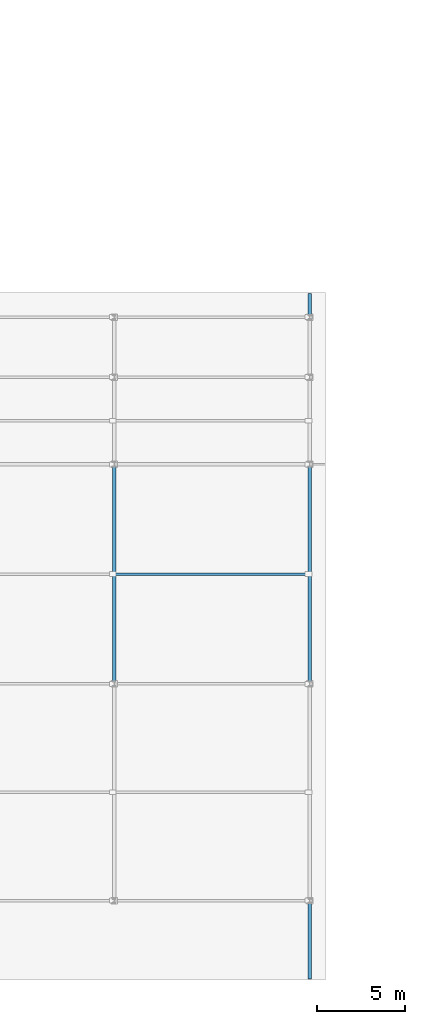
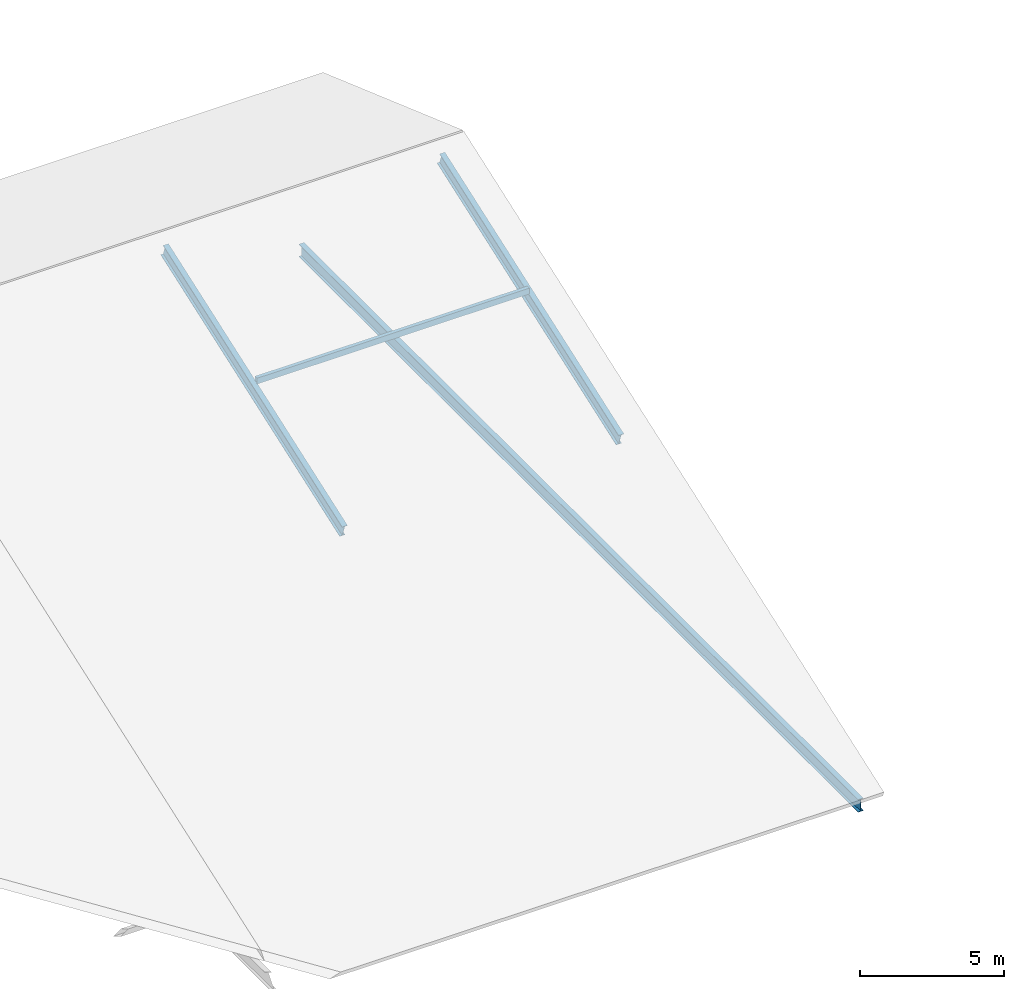
# One storey, part 9 of 42: 3 beams, 1 member.
"""IFC4 building model written with IfcOpenShell, lengths in metres."""

import ifcopenshell
import ifcopenshell.guid

model = None  # the IFC model being written
_history = None  # IfcOwnerHistory: only IFC2X3 demands one
_inside = {}  # id of a spatial element -> (the spatial element, [elements in it])
_under = {}  # id of a project, library or spatial element -> (it, [spatial elements below it])
_declared = {}  # id of a project -> (the project, [libraries it declares])
_typed = {}  # id of a type object -> (the type object, [elements of that type])
_made_of = {}  # id of a material, layer set ... -> (it, [elements and type objects made of it])


def new_model(schema):
    """Start an empty IFC model of exactly this schema.

    Asked for "IFC4X3", IfcOpenShell would pick the latest addendum, in which some entities
    have other attributes; the version numbers below select the first issue.
    IFC2X3 requires an IfcOwnerHistory on every rooted entity: one is made here for all.
    """
    global model, _history
    if schema == "IFC4X3":
        model = ifcopenshell.file(schema_version=(4, 3, 0, 0))
    else:
        model = ifcopenshell.file(schema=schema)
    _inside.clear()
    _under.clear()
    _declared.clear()
    _typed.clear()
    _made_of.clear()
    _history = None
    if model.schema == "IFC2X3":
        org = make("IfcOrganization", Name="unknown")
        user = make(
            "IfcPersonAndOrganization",
            ThePerson=make("IfcPerson", FamilyName="unknown"),
            TheOrganization=org,
        )
        app = make(
            "IfcApplication",
            ApplicationDeveloper=org,
            Version="unknown",
            ApplicationFullName="unknown",
            ApplicationIdentifier="unknown",
        )
        _history = make(
            "IfcOwnerHistory",
            OwningUser=user,
            OwningApplication=app,
            ChangeAction="ADDED",
            CreationDate=0,
        )
    return model


def make(cls, **values):
    """One entity of the class cls with the attributes given. An attribute that is None is left unset."""
    return model.create_entity(
        cls, **{name: value for name, value in values.items() if value is not None}
    )


def rooted(cls, **values):
    """An entity with a GlobalId (a new one), such as an element, a storey or a relation."""
    return make(cls, GlobalId=ifcopenshell.guid.new(), OwnerHistory=_history, **values)


def si_unit(unit_type, name, prefix=None):
    """IfcSIUnit, for example si_unit("LENGTHUNIT", "METRE", prefix="MILLI")."""
    return make("IfcSIUnit", UnitType=unit_type, Prefix=prefix, Name=name)


def assignment(units):
    """IfcUnitAssignment: the units of a project."""
    return None if units is None else make("IfcUnitAssignment", Units=units)


def point(xyz):
    """IfcCartesianPoint."""
    return None if xyz is None else make("IfcCartesianPoint", Coordinates=xyz)


def direction(xyz):
    """IfcDirection."""
    return None if xyz is None else make("IfcDirection", DirectionRatios=xyz)


def frame(location, z_axis=None, x_axis=None):
    """IfcAxis2Placement3D, a coordinate frame: its origin and axes. An axis left out is left unset."""
    return make(
        "IfcAxis2Placement3D",
        Location=point(location),
        Axis=direction(z_axis),
        RefDirection=direction(x_axis),
    )


def frame_2d(location, x_axis=None):
    """IfcAxis2Placement2D, a coordinate frame in the plane: its origin and x axis."""
    return make(
        "IfcAxis2Placement2D", Location=point(location), RefDirection=direction(x_axis)
    )


def origin():
    """The frame at (0, 0, 0) with its axes left unset."""
    return frame((0.0, 0.0, 0.0))


def origin_2d():
    """The frame at (0, 0) in the plane with its x axis left unset."""
    return frame_2d((0.0, 0.0))


def place(relative_to, where):
    """IfcLocalPlacement: puts the frame where relative to a parent placement (None: the world)."""
    return make(
        "IfcLocalPlacement", PlacementRelTo=relative_to, RelativePlacement=where
    )


def context(
    kind, dimensions, precision=None, world=None, true_north=None, identifier=None
):
    """IfcGeometricRepresentationContext, for example the 3D "Model" context."""
    return make(
        "IfcGeometricRepresentationContext",
        ContextIdentifier=identifier,
        ContextType=kind,
        CoordinateSpaceDimension=dimensions,
        Precision=precision,
        WorldCoordinateSystem=world,
        TrueNorth=true_north,
    )


def subcontext(parent, identifier, kind, view, scale=None):
    """IfcGeometricRepresentationSubContext, for example "Body" below "Model"."""
    return make(
        "IfcGeometricRepresentationSubContext",
        ContextIdentifier=identifier,
        ContextType=kind,
        ParentContext=parent,
        TargetScale=scale,
        TargetView=view,
    )


def project(units=None, contexts=None):
    """IfcProject with its units and contexts."""
    return rooted(
        "IfcProject",
        Name="project",
        RepresentationContexts=contexts,
        UnitsInContext=assignment(units),
    )


def spatial(cls, under=None, at=None, **own):
    """A site, building, storey or space (cls), placed at a placement, below another one or the project."""
    s = rooted(cls, ObjectPlacement=at, **own)
    if under is not None:
        _under.setdefault(under.id(), (under, []))[1].append(s)
    return s


def profile(cls, at=None, kind="AREA", **sizes):
    """A parametric profile (cls). Its sizes go by their IFC names, for example OverallWidth=200.0."""
    return make(cls, ProfileType=kind, Position=at, **sizes)


def hollow_rectangle(**sizes):
    """IfcRectangleHollowProfileDef."""
    return profile("IfcRectangleHollowProfileDef", **sizes)


def i_section(**sizes):
    """IfcIShapeProfileDef."""
    return profile("IfcIShapeProfileDef", **sizes)


def extrude(swept, where, along, depth):
    """IfcExtrudedAreaSolid: the profile swept, set in the frame where, extruded along a direction by depth."""
    return make(
        "IfcExtrudedAreaSolid",
        SweptArea=swept,
        Position=where,
        ExtrudedDirection=direction(along),
        Depth=depth,
    )


def shape(context_of_items, identifier, shape_type, items):
    """IfcShapeRepresentation: the items that make up one representation, for example the "Body"."""
    return make(
        "IfcShapeRepresentation",
        ContextOfItems=context_of_items,
        RepresentationIdentifier=identifier,
        RepresentationType=shape_type,
        Items=items,
    )


def material(Name=None, Category=None):
    """IfcMaterial."""
    return make("IfcMaterial", Name=Name, Category=Category)


def material_profile(
    of_material, cross_section, Name=None, Category=None, Priority=None
):
    """IfcMaterialProfile: a cross section and its material."""
    return make(
        "IfcMaterialProfile",
        Name=Name,
        Material=of_material,
        Profile=cross_section,
        Priority=Priority,
        Category=Category,
    )


def profile_set(profiles, Name=None, composite=None):
    """IfcMaterialProfileSet."""
    return make(
        "IfcMaterialProfileSet",
        Name=Name,
        MaterialProfiles=profiles,
        CompositeProfile=composite,
    )


def made_of(thing, what):
    """Note that an element or type object is made of a material, layer set ...; save() writes the relation."""
    if what is not None:
        _made_of.setdefault(what.id(), (what, []))[1].append(thing)
    return thing


def type_object(cls, material=None, **own):
    """A type object (cls), such as IfcWallType, which elements share."""
    return made_of(rooted(cls, **own), material)


def element(
    cls,
    number,
    at=None,
    inside=None,
    cuts=None,
    type_object=None,
    material=None,
    context=None,
    identifier="Body",
    shape_type=None,
    held_by="IfcProductDefinitionShape",
    body=None,
    shapes=None,
    **own,
):
    """One element of the class cls, such as IfcWall. Its Tag is "e" and its number.

    at: its placement. inside: the storey or other place that contains it. cuts: it is an
    opening in that element (IfcRelVoidsElement). A single representation is given by context,
    identifier, shape_type and body (its items); several are given by shapes. held_by: the class
    of the entity that holds the representations. save() writes the other relations.
    """
    e = rooted(cls, Tag="e%d" % number, ObjectPlacement=at, **own)
    if body is not None:
        shapes = [shape(context, identifier, shape_type, body)]
    if shapes is not None:
        e.Representation = make(held_by, Representations=shapes)
    if inside is not None:
        _inside.setdefault(inside.id(), (inside, []))[1].append(e)
    if cuts is not None:
        rooted(
            "IfcRelVoidsElement", RelatingBuildingElement=cuts, RelatedOpeningElement=e
        )
    if type_object is not None:
        _typed.setdefault(type_object.id(), (type_object, []))[1].append(e)
    return made_of(e, material)


def aggregate(whole, parts):
    """IfcRelAggregates: a whole, such as a stair, and the parts it consists of."""
    return rooted("IfcRelAggregates", RelatingObject=whole, RelatedObjects=parts)


def save(model, path):
    """Write the relations noted so far, then the file.

    IfcRelAggregates (storeys below a building ...), IfcRelContainedInSpatialStructure (elements
    in a storey), IfcRelDefinesByType, IfcRelAssociatesMaterial and IfcRelDeclares: one each for
    every whole, place, type object, material and project.
    """
    for whole, parts in _under.values():
        aggregate(whole, parts)
    for where, things in _inside.values():
        rooted(
            "IfcRelContainedInSpatialStructure",
            RelatedElements=things,
            RelatingStructure=where,
        )
    for kind, things in _typed.values():
        rooted("IfcRelDefinesByType", RelatedObjects=things, RelatingType=kind)
    for what, things in _made_of.values():
        rooted("IfcRelAssociatesMaterial", RelatedObjects=things, RelatingMaterial=what)
    for by, libraries in _declared.values():
        rooted("IfcRelDeclares", RelatingContext=by, RelatedDefinitions=libraries)
    model.write(path)


model = new_model("IFC4")

# Units and contexts
model_context = context("Model", 3, precision=1e-05, world=origin(), true_north=direction((0.0, 1.0)))
body_context = subcontext(model_context, "Body", "Model", "MODEL_VIEW")
ifc_project = project(units=[si_unit("LENGTHUNIT", "METRE"), si_unit("AREAUNIT", "SQUARE_METRE"), si_unit("VOLUMEUNIT", "CUBIC_METRE"), si_unit("PLANEANGLEUNIT", "RADIAN"), si_unit("MASSUNIT", "GRAM", prefix="KILO")], contexts=[model_context])

# Site, building, storey
site_placement = place(None, origin())
site = spatial("IfcSite", under=ifc_project, at=site_placement, CompositionType="ELEMENT")
building_placement = place(site_placement, origin())
building = spatial("IfcBuilding", under=site, at=building_placement, Name="Kelmvaro Bay Concert Hall", CompositionType="ELEMENT")
storey_placement = place(building_placement, frame((0.0, 0.0, 26.699951171875)))
storey = spatial("IfcBuildingStorey", under=building, at=storey_placement, Name="RF", CompositionType="ELEMENT", Elevation=26.699951171875)

# Member
ifc_material_1 = material(Name="Steel ASTM A500 Grade C", Category="steel")
ifc_material_profile_1 = material_profile(ifc_material_1, hollow_rectangle(XDim=0.14990234375, YDim=0.25, WallThickness=0.010009765625, at=origin_2d()), Name="HSS250X150X10")
ifc_profile_set_1 = profile_set([ifc_material_profile_1], Name="Steel ASTM A500 Grade C")
member_type = type_object("IfcMemberType", Name="Crystal Roof Mid Purlin HSS250x150x10", PredefinedType="PURLIN", material=ifc_profile_set_1)
member_placement = place(storey_placement, frame((36.0849609375, 23.02490234375, -5.1982421875), z_axis=(1.0, 0.0, 0.0), x_axis=(0.0, 1.0, 0.0)))
element("IfcMember", 1, at=member_placement, inside=storey, type_object=member_type, Name="V3 Crystal Roof Purlin 016", PredefinedType="PURLIN", context=body_context, shape_type="SweptSolid", body=[
    extrude(hollow_rectangle(XDim=0.14990234375, YDim=0.25, WallThickness=0.010009765625, at=origin_2d()), origin(), (0.0, 0.0, 1.0), 10.929931640625),
])

# Beams
ifc_material_2 = material(Name="Steel ASTM A992 Grade 50", Category="steel")
ifc_material_profile_2 = material_profile(ifc_material_2, i_section(OverallWidth=0.2119140625, OverallDepth=0.5439453125, WebThickness=0.01318359375, FlangeThickness=0.021240234375, at=origin_2d()), Name="W21X83")
ifc_profile_set_2 = profile_set([ifc_material_profile_2], Name="Steel ASTM A992 Grade 50")
beam_type_1 = type_object("IfcBeamType", Name="Crystal Roof Sloped Rafter W21x83", PredefinedType="BEAM", material=ifc_profile_set_2)
for number, where, z_axis, x_axis, name in (
    (2, (36.0, 16.800048828125, -7.795654296875), (0.0, 0.942637283425, 0.33381874108), (-1.0, 0.0, 0.0), "V3 Crystal Roof Rafter 016"),
    (3, (47.10009765625, 16.800048828125, -7.795654296875), (0.0, 0.942637283425, 0.33381874108), (-1.0, 0.0, 0.0), "V3 Crystal Roof Rafter 021"),
):
    element("IfcBeam", number, at=place(storey_placement, frame(where, z_axis=z_axis, x_axis=x_axis)), inside=storey, type_object=beam_type_1, Name=name, PredefinedType="BEAM", context=body_context, shape_type="SweptSolid", body=[
        extrude(i_section(OverallWidth=0.2119140625, OverallDepth=0.5439453125, WebThickness=0.01318359375, FlangeThickness=0.021240234375, at=origin_2d()), origin(), (0.0, 0.0, 1.0), 13.20751953125),
    ])
ifc_material_3 = material(Name="Steel ASTM A992 Grade 50", Category="steel")
ifc_material_profile_3 = material_profile(ifc_material_3, i_section(OverallWidth=0.2099609375, OverallDepth=0.535888671875, WebThickness=0.010986328125, FlangeThickness=0.017333984375, at=origin_2d()), Name="W21X68")
ifc_profile_set_3 = profile_set([ifc_material_profile_3], Name="Steel ASTM A992 Grade 50")
beam_type_2 = type_object("IfcBeamType", Name="Crystal Roof Tie Girder W21x68", PredefinedType="BEAM", material=ifc_profile_set_3)
beam_placement = place(storey_placement, frame((47.10009765625, 0.050048828125, -13.16796875), z_axis=(0.0, 1.0, 0.0), x_axis=(-1.0, 0.0, 0.0)))
element("IfcBeam", 4, at=beam_placement, inside=storey, type_object=beam_type_2, Name="V3 Crystal Roof Tie Girder 019", PredefinedType="BEAM", context=body_context, shape_type="SweptSolid", body=[
    extrude(i_section(OverallWidth=0.2099609375, OverallDepth=0.535888671875, WebThickness=0.010986328125, FlangeThickness=0.017333984375, at=origin_2d()), origin(), (0.0, 0.0, 1.0), 38.89990234375),
])

save(model, "model.ifc")
